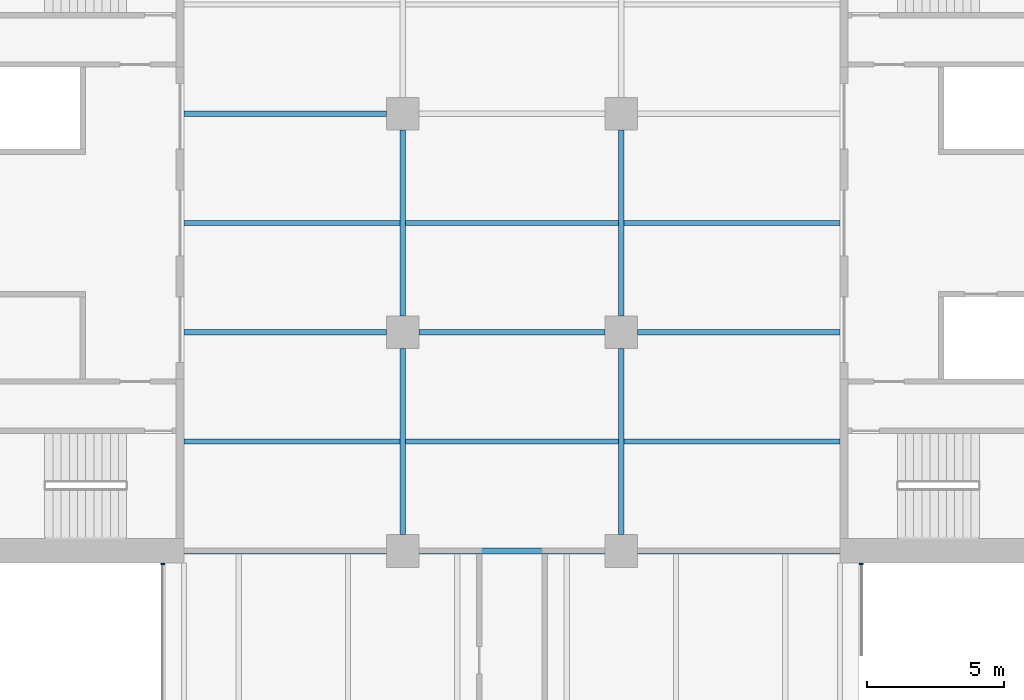
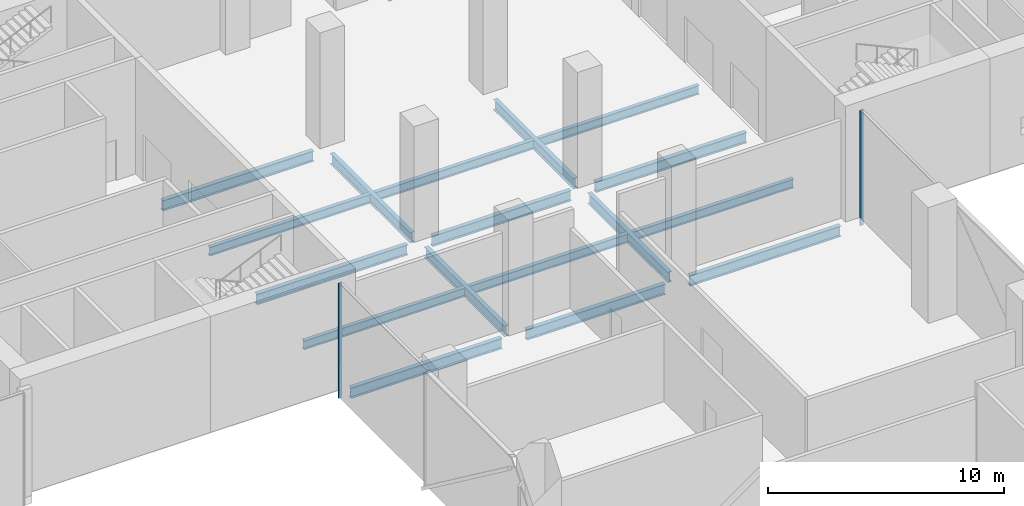
# One storey, part 5 of 23: 17 beams, 2 members, 2 elements without a shape of their own.
"""IFC4 building model written with IfcOpenShell, lengths in metres."""

from ifc_helpers import new_model, si_unit, direction, frame, origin, origin_2d, place, context, subcontext, project, spatial, rectangle, i_section, extrude, material, material_profile, profile_set, type_object, element, aggregate, save


model = new_model("IFC4")

# Units and contexts
model_context = context("Model", 3, precision=1e-05, world=origin(), true_north=direction((0.0, 1.0)))
body_context = subcontext(model_context, "Body", "Model", "MODEL_VIEW")
ifc_project = project(units=[si_unit("LENGTHUNIT", "METRE"), si_unit("AREAUNIT", "SQUARE_METRE"), si_unit("VOLUMEUNIT", "CUBIC_METRE"), si_unit("PLANEANGLEUNIT", "RADIAN"), si_unit("MASSUNIT", "GRAM", prefix="KILO")], contexts=[model_context])

# Site, building, storey
site_placement = place(None, origin())
site = spatial("IfcSite", under=ifc_project, at=site_placement, CompositionType="ELEMENT")
building_placement = place(site_placement, origin())
building = spatial("IfcBuilding", under=site, at=building_placement, Name="Crosswind Convention Tower", CompositionType="ELEMENT")
storey_placement = place(building_placement, frame((0.0, 0.0, 41.5)))
storey = spatial("IfcBuildingStorey", under=building, at=storey_placement, Name="L05", CompositionType="ELEMENT", Elevation=41.5)

# Beams
ifc_material_1 = material(Name="Steel S355", Category="steel")
ifc_material_profile_1 = material_profile(ifc_material_1, i_section(OverallWidth=0.2119140625, OverallDepth=0.544677734375, WebThickness=0.0126953125, FlangeThickness=0.021240234375, FilletRadius=0.0126953125, at=origin_2d()), Name="UB 533x210x122")
ifc_profile_set_1 = profile_set([ifc_material_profile_1], Name="Steel S355")
beam_type_1 = type_object("IfcBeamType", Name="Girder UB 533x210x122", PredefinedType="BEAM", material=ifc_profile_set_1)
for number, where, z_axis, x_axis, name in (
    (1, (121.0, 88.60009765625, -0.67236328125), (0.0, 1.0, 0.0), (-1.0, 0.0, 0.0), "B6 L05 girder 1"),
    (2, (121.0, 96.60009765625, -0.67236328125), (0.0, 1.0, 0.0), (-1.0, 0.0, 0.0), "B6 L05 girder 2"),
    (3, (121.60009765625, 88.0, -0.67236328125), (1.0, 0.0, 0.0), (0.0, 1.0, 0.0), "B6 L05 girder 4"),
    (4, (121.60009765625, 96.0, -0.67236328125), (1.0, 0.0, 0.0), (0.0, 1.0, 0.0), "B6 L05 girder 5"),
    (5, (129.0, 88.60009765625, -0.67236328125), (0.0, 1.0, 0.0), (-1.0, 0.0, 0.0), "B6 L05 girder 8"),
    (6, (129.0, 96.60009765625, -0.67236328125), (0.0, 1.0, 0.0), (-1.0, 0.0, 0.0), "B6 L05 girder 9"),
):
    element("IfcBeam", number, at=place(storey_placement, frame(where, z_axis=z_axis, x_axis=x_axis)), inside=storey, type_object=beam_type_1, Name=name, PredefinedType="BEAM", context=body_context, shape_type="SweptSolid", body=[
        extrude(i_section(OverallWidth=0.2119140625, OverallDepth=0.544677734375, WebThickness=0.0126953125, FlangeThickness=0.021240234375, FilletRadius=0.0126953125, at=origin_2d()), origin(), (0.0, 0.0, 1.0), 6.7998046875),
    ])
ifc_material_profile_2 = material_profile(ifc_material_1, i_section(OverallWidth=0.214111328125, OverallDepth=0.549072265625, WebThickness=0.0146484375, FlangeThickness=0.023681640625, FilletRadius=0.0126953125, at=origin_2d()), Name="UB 533x210x138")
ifc_profile_set_2 = profile_set([ifc_material_profile_2], Name="Steel S355")
beam_type_2 = type_object("IfcBeamType", Name="Girder at core wall UB 533x210x138", PredefinedType="BEAM", material=ifc_profile_set_2)
for number, where, z_axis, x_axis, name in (
    (7, (113.0, 88.0, -0.674560546875), (1.0, 0.0, 0.0), (0.0, 1.0, 0.0), "B27 L05 girder at core wall 1"),
    (8, (113.0, 96.0, -0.674560546875), (1.0, 0.0, 0.0), (0.0, 1.0, 0.0), "B27 L05 girder at core wall 2"),
    (9, (113.0, 104.0, -0.674560546875), (1.0, 0.0, 0.0), (0.0, 1.0, 0.0), "B27 L05 girder at core wall 3"),
    (10, (129.60009765625, 88.0, -0.674560546875), (1.0, 0.0, 0.0), (0.0, 1.0, 0.0), "B27 L05 girder at core wall 5"),
    (11, (129.60009765625, 96.0, -0.674560546875), (1.0, 0.0, 0.0), (0.0, 1.0, 0.0), "B27 L05 girder at core wall 6"),
):
    element("IfcBeam", number, at=place(storey_placement, frame(where, z_axis=z_axis, x_axis=x_axis)), inside=storey, type_object=beam_type_2, Name=name, PredefinedType="BEAM", context=body_context, shape_type="SweptSolid", body=[
        extrude(i_section(OverallWidth=0.214111328125, OverallDepth=0.549072265625, WebThickness=0.0146484375, FlangeThickness=0.023681640625, FilletRadius=0.0126953125, at=origin_2d()), origin(), (0.0, 0.0, 1.0), 7.39990234375),
    ])

# Curtain wall, member
ifc_material_2 = material(Name="Aluminium unitised curtain wall", Category="aluminium")
curtain_wall_type = type_object("IfcCurtainWallType", Name="CORE END SLOT WALL 160", PredefinedType="USERDEFINED", material=ifc_material_2)
curtain_wall_1_placement = place(storey_placement, origin())
curtain_wall_1 = element("IfcCurtainWall", 12, at=curtain_wall_1_placement, inside=storey, type_object=curtain_wall_type, Name="CW6 L05 S-W.1-1 slot", ObjectType="UNITISED", PredefinedType="USERDEFINED")
ifc_material_3 = material(Name="Aluminium mullion", Category="aluminium")
ifc_material_profile_3 = material_profile(ifc_material_3, rectangle(XDim=0.159912109375, YDim=0.050048828125, at=origin_2d()), Name="AL 160X50")
ifc_profile_set_3 = profile_set([ifc_material_profile_3], Name="Aluminium mullion")
member_type = type_object("IfcMemberType", Name="MULLION 50X160", PredefinedType="MULLION", material=ifc_profile_set_3)
member_1_placement = place(storey_placement, frame((112.219970703125, 87.52490234375, -0.39990234375), z_axis=(0.0, 0.0, 1.0), x_axis=(-1.0, 0.0, 0.0)))
member_1 = element("IfcMember", 13, at=member_1_placement, type_object=member_type, Name="CW6 mullion 1", PredefinedType="MULLION", context=body_context, shape_type="SweptSolid", body=[
    extrude(rectangle(XDim=0.159912109375, YDim=0.050048828125, at=origin_2d()), origin(), (0.0, 0.0, 1.0), 5.949951171875),
])
aggregate(curtain_wall_1, [member_1])

curtain_wall_2_placement = place(storey_placement, origin())
curtain_wall_2 = element("IfcCurtainWall", 14, at=curtain_wall_2_placement, inside=storey, type_object=curtain_wall_type, Name="CW6 L05 S-E.1-4 slot", ObjectType="UNITISED", PredefinedType="USERDEFINED")
member_2_placement = place(storey_placement, frame((137.780029296875, 87.52490234375, -0.39990234375), z_axis=(0.0, 0.0, 1.0), x_axis=(1.0, 0.0, 0.0)))
member_2 = element("IfcMember", 15, at=member_2_placement, type_object=member_type, Name="CW6 mullion 2", PredefinedType="MULLION", context=body_context, shape_type="SweptSolid", body=[
    extrude(rectangle(XDim=0.159912109375, YDim=0.050048828125, at=origin_2d()), origin(), (0.0, 0.0, 1.0), 5.949951171875),
])
aggregate(curtain_wall_2, [member_2])

# Beams
ifc_material_profile_4 = material_profile(ifc_material_1, i_section(OverallWidth=0.19140625, OverallDepth=0.460205078125, WebThickness=0.010009765625, FlangeThickness=0.01611328125, FilletRadius=0.01025390625, at=origin_2d()), Name="UB 457x191x82")
ifc_profile_set_4 = profile_set([ifc_material_profile_4], Name="Steel S355")
beam_type_3 = type_object("IfcBeamType", Name="Secondary beam UB 457x191x82", PredefinedType="JOIST", material=ifc_profile_set_4)
for number, where, z_axis, x_axis, name in (
    (16, (113.0, 92.0, -0.630126953125), (1.0, 0.0, 0.0), (0.0, 1.0, 0.0), "B13 L05 secondary beam 11"),
    (17, (113.0, 100.0, -0.630126953125), (1.0, 0.0, 0.0), (0.0, 1.0, 0.0), "B13 L05 secondary beam 12"),
):
    element("IfcBeam", number, at=place(storey_placement, frame(where, z_axis=z_axis, x_axis=x_axis)), inside=storey, type_object=beam_type_3, Name=name, PredefinedType="JOIST", context=body_context, shape_type="SweptSolid", body=[
        extrude(i_section(OverallWidth=0.19140625, OverallDepth=0.460205078125, WebThickness=0.010009765625, FlangeThickness=0.01611328125, FilletRadius=0.01025390625, at=origin_2d()), origin(), (0.0, 0.0, 1.0), 7.89404296875),
    ])
for number, where, z_axis, x_axis, name in (
    (18, (121.10595703125, 92.0, -0.630126953125), (1.0, 0.0, 0.0), (0.0, 1.0, 0.0), "B13 L05 secondary beam 28"),
    (19, (121.10595703125, 100.0, -0.630126953125), (1.0, 0.0, 0.0), (0.0, 1.0, 0.0), "B13 L05 secondary beam 29"),
):
    element("IfcBeam", number, at=place(storey_placement, frame(where, z_axis=z_axis, x_axis=x_axis)), inside=storey, type_object=beam_type_3, Name=name, PredefinedType="JOIST", context=body_context, shape_type="SweptSolid", body=[
        extrude(i_section(OverallWidth=0.19140625, OverallDepth=0.460205078125, WebThickness=0.010009765625, FlangeThickness=0.01611328125, FilletRadius=0.01025390625, at=origin_2d()), origin(), (0.0, 0.0, 1.0), 7.7880859375),
    ])
for number, where, z_axis, x_axis, name in (
    (20, (129.10595703125, 92.0, -0.630126953125), (1.0, 0.0, 0.0), (0.0, 1.0, 0.0), "B13 L05 secondary beam 47"),
    (21, (129.10595703125, 100.0, -0.630126953125), (1.0, 0.0, 0.0), (0.0, 1.0, 0.0), "B13 L05 secondary beam 48"),
):
    element("IfcBeam", number, at=place(storey_placement, frame(where, z_axis=z_axis, x_axis=x_axis)), inside=storey, type_object=beam_type_3, Name=name, PredefinedType="JOIST", context=body_context, shape_type="SweptSolid", body=[
        extrude(i_section(OverallWidth=0.19140625, OverallDepth=0.460205078125, WebThickness=0.010009765625, FlangeThickness=0.01611328125, FilletRadius=0.01025390625, at=origin_2d()), origin(), (0.0, 0.0, 1.0), 7.89404296875),
    ])

save(model, "model.ifc")
